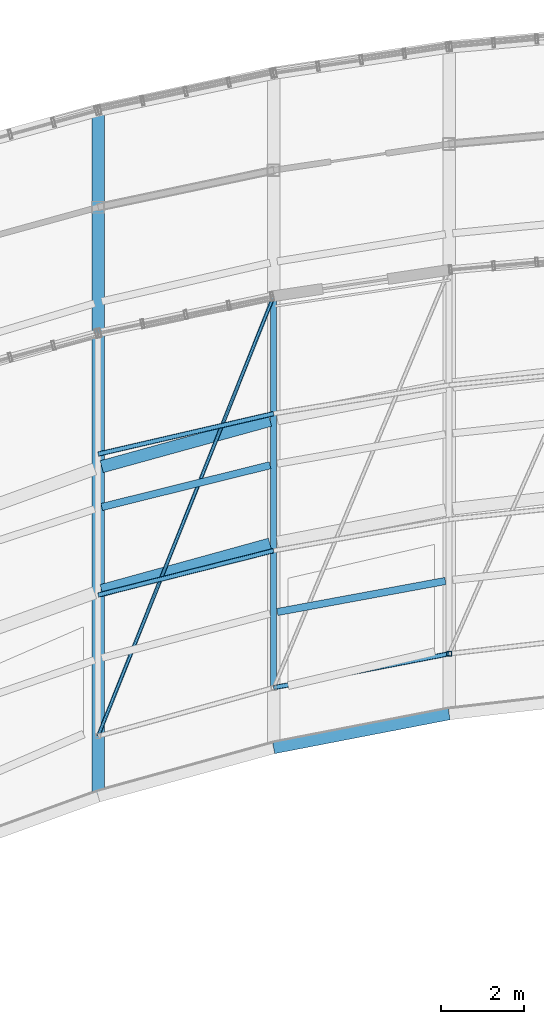
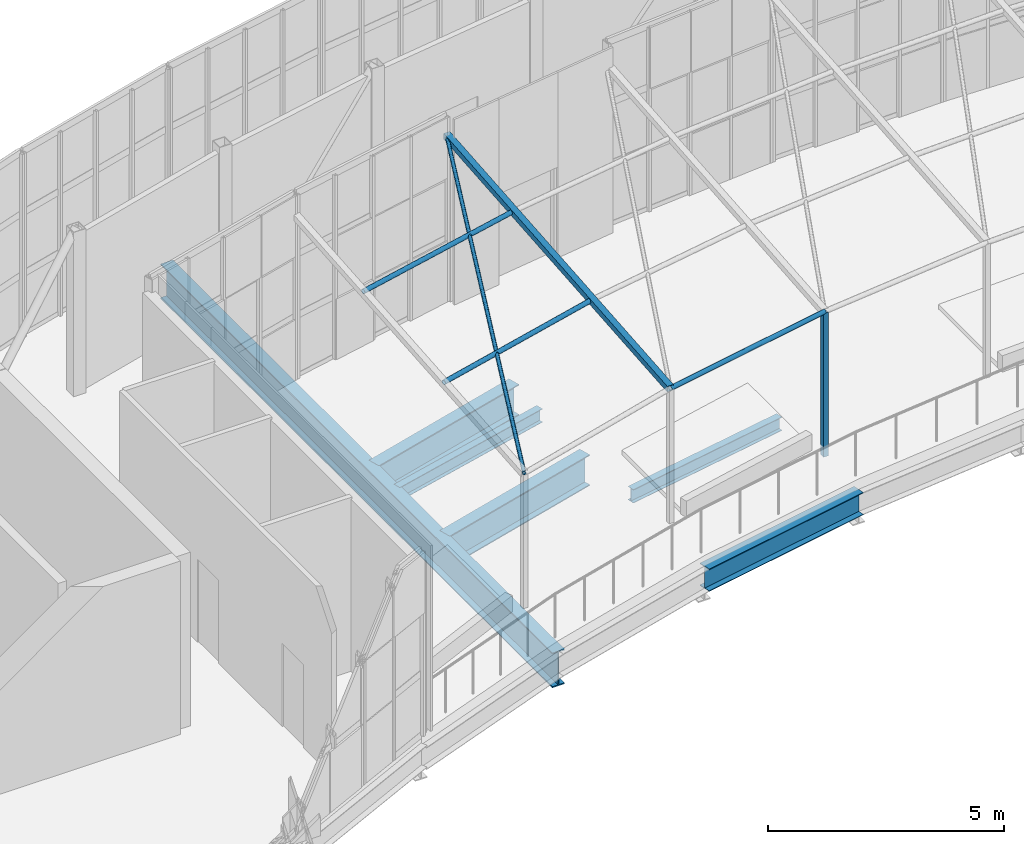
# One storey, part 10 of 35: 6 beams, 6 members.
"""IFC4 building model written with IfcOpenShell, lengths in metres."""

from ifc_helpers import new_model, si_unit, direction, frame, origin, origin_2d, place, context, subcontext, project, spatial, hollow_rectangle, hollow_circle, i_section, extrude, material, material_profile, profile_set, type_object, element, save


model = new_model("IFC4")

# Units and contexts
model_context = context("Model", 3, precision=1e-05, world=origin(), true_north=direction((0.0, 1.0)))
body_context = subcontext(model_context, "Body", "Model", "MODEL_VIEW")
ifc_project = project(units=[si_unit("LENGTHUNIT", "METRE"), si_unit("AREAUNIT", "SQUARE_METRE"), si_unit("VOLUMEUNIT", "CUBIC_METRE"), si_unit("PLANEANGLEUNIT", "RADIAN"), si_unit("MASSUNIT", "GRAM", prefix="KILO")], contexts=[model_context])

# Site, building, storey
site_placement = place(None, origin())
site = spatial("IfcSite", under=ifc_project, at=site_placement, CompositionType="ELEMENT")
building_placement = place(site_placement, origin())
building = spatial("IfcBuilding", under=site, at=building_placement, Name="Solvikara Media Centre", CompositionType="ELEMENT")
storey_placement = place(building_placement, frame((0.0, 0.0, 29.39990234375)))
storey = spatial("IfcBuildingStorey", under=building, at=storey_placement, Name="L06", CompositionType="ELEMENT", Elevation=29.39990234375)

# Beams
ifc_material = material(Name="Steel S355JR", Category="steel")
ifc_material_profile_1 = material_profile(ifc_material, i_section(OverallWidth=0.300048828125, OverallDepth=0.89990234375, WebThickness=0.01611328125, FlangeThickness=0.028076171875, at=origin_2d()), Name="WF 900x300x16x28")
ifc_profile_set_1 = profile_set([ifc_material_profile_1], Name="Steel S355JR")
beam_type_1 = type_object("IfcBeamType", Name="BM-15", PredefinedType="BEAM", material=ifc_profile_set_1)
beam_1_placement = place(storey_placement, frame((85.0, 22.823974609375, -0.721923828125), z_axis=(0.0, 1.0, 0.0), x_axis=(-1.0, 0.0, 0.0)))
element("IfcBeam", 1, at=beam_1_placement, inside=storey, type_object=beam_type_1, Name="BG-L06-NS-02", PredefinedType="BEAM", context=body_context, shape_type="SweptSolid", body=[
    extrude(i_section(OverallWidth=0.300048828125, OverallDepth=0.89990234375, WebThickness=0.01611328125, FlangeThickness=0.028076171875, at=origin_2d()), origin(), (0.0, 0.0, 1.0), 16.60693359375),
])
ifc_material_profile_2 = material_profile(ifc_material, i_section(OverallWidth=0.300048828125, OverallDepth=0.800048828125, WebThickness=0.013916015625, FlangeThickness=0.02587890625, at=origin_2d()), Name="WF 800x300x14x26")
ifc_profile_set_2 = profile_set([ifc_material_profile_2], Name="Steel S355JR")
beam_type_2 = type_object("IfcBeamType", Name="BM-16", PredefinedType="BEAM", material=ifc_profile_set_2)
for number, where, z_axis, x_axis, name in (
    (2, (85.0869140625, 27.798095703125, -0.671875), (0.964019154447, 0.265832785522, 0.0), (-0.265832785522, 0.964019154447, 0.0), "B-L06-SPNS-02"),
    (3, (85.0869140625, 30.798095703125, -0.671875), (0.964019154447, 0.265832785522, 0.0), (-0.265832785522, 0.964019154447, 0.0), "B-L06-SPNN-02"),
):
    element("IfcBeam", number, at=place(storey_placement, frame(where, z_axis=z_axis, x_axis=x_axis)), inside=storey, type_object=beam_type_2, Name=name, PredefinedType="BEAM", context=body_context, shape_type="SweptSolid", body=[
        extrude(i_section(OverallWidth=0.300048828125, OverallDepth=0.800048828125, WebThickness=0.013916015625, FlangeThickness=0.02587890625, at=origin_2d()), origin(), (0.0, 0.0, 1.0), 4.228271484375),
    ])
ifc_material_profile_3 = material_profile(ifc_material, i_section(OverallWidth=0.175048828125, OverallDepth=0.35009765625, WebThickness=0.007080078125, FlangeThickness=0.010986328125, at=origin_2d()), Name="WF 350x175x7x11")
ifc_profile_set_3 = profile_set([ifc_material_profile_3], Name="Steel S355JR")
beam_type_3 = type_object("IfcBeamType", Name="BM-22", PredefinedType="JOIST", material=ifc_profile_set_3)
beam_2_placement = place(storey_placement, frame((85.0869140625, 29.821044921875, -0.447021484375), z_axis=(0.970483457867, 0.241167696855, 0.0), x_axis=(-0.241167696855, 0.970483457867, 0.0)))
element("IfcBeam", 4, at=beam_2_placement, inside=storey, type_object=beam_type_3, Name="BJ-L06-02-42", PredefinedType="JOIST", context=body_context, shape_type="SweptSolid", body=[
    extrude(i_section(OverallWidth=0.175048828125, OverallDepth=0.35009765625, WebThickness=0.007080078125, FlangeThickness=0.010986328125, at=origin_2d()), origin(), (0.0, 0.0, 1.0), 4.2001953125),
])
beam_3_placement = place(storey_placement, frame((89.339111328125, 27.279052734375, -0.447021484375), z_axis=(0.983371814175, 0.181603620797, 0.0), x_axis=(-0.181603620797, 0.983371814175, 0.0)))
element("IfcBeam", 5, at=beam_3_placement, inside=storey, type_object=beam_type_3, Name="BJ-L06-03-20", PredefinedType="JOIST", context=body_context, shape_type="SweptSolid", body=[
    extrude(i_section(OverallWidth=0.175048828125, OverallDepth=0.35009765625, WebThickness=0.007080078125, FlangeThickness=0.010986328125, at=origin_2d()), origin(), (0.0, 0.0, 1.0), 4.140625),
])
ifc_material_profile_4 = material_profile(ifc_material, i_section(OverallWidth=0.300048828125, OverallDepth=0.58203125, WebThickness=0.011962890625, FlangeThickness=0.01708984375, at=origin_2d()), Name="WF 582x300x12x17")
ifc_profile_set_4 = profile_set([ifc_material_profile_4], Name="Steel S355JR")
beam_type_4 = type_object("IfcBeamType", Name="BM-31", PredefinedType="SPANDREL", material=ifc_profile_set_4)
beam_4_placement = place(storey_placement, frame((89.25, 23.99609375, -0.56298828125), z_axis=(0.981803941213, 0.189897396029, 0.0), x_axis=(-0.189897396029, 0.981803941213, 0.0)))
element("IfcBeam", 6, at=beam_4_placement, inside=storey, type_object=beam_type_4, Name="B-L06-SARC-03", PredefinedType="SPANDREL", context=body_context, shape_type="SweptSolid", body=[
    extrude(i_section(OverallWidth=0.300048828125, OverallDepth=0.58203125, WebThickness=0.011962890625, FlangeThickness=0.01708984375, at=origin_2d()), origin(), (0.0, 0.0, 1.0), 4.328857421875),
])

# Members
ifc_material_profile_5 = material_profile(ifc_material, hollow_circle(Radius=0.05712890625, WallThickness=0.006103515625, at=origin_2d()), Name="CHS 114.3x6")
ifc_profile_set_5 = profile_set([ifc_material_profile_5], Name="Steel S355JR")
member_type_1 = type_object("IfcMemberType", Name="MB-09", PredefinedType="BRACE", material=ifc_profile_set_5)
member_1_placement = place(storey_placement, frame((85.0, 27.68896484375, 3.72998046875), z_axis=(0.969417548491, 0.245417229791, 0.0), x_axis=(-0.245417229791, 0.969417548491, 0.0)))
element("IfcMember", 7, at=member_1_placement, inside=storey, type_object=member_type_1, Name="PERG-LVR-03-35", PredefinedType="BRACE", context=body_context, shape_type="SweptSolid", body=[
    extrude(hollow_circle(Radius=0.05712890625, WallThickness=0.006103515625, at=origin_2d()), origin(), (0.0, 0.0, 1.0), 4.384033203125),
])
member_2_placement = place(storey_placement, frame((85.0, 31.10400390625, 4.010009765625), z_axis=(0.974430804051, 0.22468780144, 0.0), x_axis=(-0.22468780144, 0.974430804051, 0.0)))
element("IfcMember", 8, at=member_2_placement, inside=storey, type_object=member_type_1, Name="PERG-LVR-03-70", PredefinedType="BRACE", context=body_context, shape_type="SweptSolid", body=[
    extrude(hollow_circle(Radius=0.05712890625, WallThickness=0.006103515625, at=origin_2d()), origin(), (0.0, 0.0, 1.0), 4.361572265625),
])
member_3_placement = place(storey_placement, frame((89.25, 25.446044921875, 3.4501953125), z_axis=(0.981803941213, 0.189897396029, 0.0), x_axis=(-0.189897396029, 0.981803941213, 0.0)))
element("IfcMember", 9, at=member_3_placement, inside=storey, type_object=member_type_1, Name="PERG-LVR-04-0", PredefinedType="BRACE", context=body_context, shape_type="SweptSolid", body=[
    extrude(hollow_circle(Radius=0.05712890625, WallThickness=0.006103515625, at=origin_2d()), origin(), (0.0, 0.0, 1.0), 4.328857421875),
])
ifc_material_profile_6 = material_profile(ifc_material, hollow_circle(Radius=0.04443359375, WallThickness=0.0048828125, at=origin_2d()), Name="CHS 88.9x5")
ifc_profile_set_6 = profile_set([ifc_material_profile_6], Name="Steel S355JR")
member_type_2 = type_object("IfcMemberType", Name="MB-10", PredefinedType="BRACE", material=ifc_profile_set_6)
member_4_placement = place(storey_placement, frame((85.0, 24.27392578125, 3.4501953125), z_axis=(0.369590597951, 0.926587917415, 0.069553010046), x_axis=(-0.928837322721, 0.370487824254, 0.0)))
element("IfcMember", 10, at=member_4_placement, inside=storey, type_object=member_type_2, Name="PERG-BR-03", PredefinedType="BRACE", context=body_context, shape_type="SweptSolid", body=[
    extrude(hollow_circle(Radius=0.04443359375, WallThickness=0.0048828125, at=origin_2d()), origin(), (0.0, 0.0, 1.0), 11.499267578125),
])
ifc_material_profile_7 = material_profile(ifc_material, hollow_rectangle(XDim=0.14990234375, YDim=0.14990234375, WallThickness=0.00634765625, at=origin_2d()), Name="RHS 150x150x6.3")
ifc_profile_set_7 = profile_set([ifc_material_profile_7], Name="Steel S355JR")
member_type_3 = type_object("IfcMemberType", Name="MB-15", PredefinedType="BRACE", material=ifc_profile_set_7)
member_5_placement = place(storey_placement, frame((89.25, 25.446044921875, 3.4501953125), z_axis=(0.0, 0.996462103523, 0.084043299808), x_axis=(-1.0, 0.0, 0.0)))
element("IfcMember", 11, at=member_5_placement, inside=storey, type_object=member_type_3, Name="PERG-RIB-03", PredefinedType="BRACE", context=body_context, shape_type="SweptSolid", body=[
    extrude(hollow_rectangle(XDim=0.14990234375, YDim=0.14990234375, WallThickness=0.00634765625, at=origin_2d()), origin(), (0.0, 0.0, 1.0), 9.5166015625),
])
ifc_material_profile_8 = material_profile(ifc_material, hollow_rectangle(XDim=0.1201171875, YDim=0.1201171875, WallThickness=0.006103515625, at=origin_2d()), Name="RHS 120x120x6")
ifc_profile_set_8 = profile_set([ifc_material_profile_8], Name="Steel S355JR")
member_type_4 = type_object("IfcMemberType", Name="MB-24", PredefinedType="POST", material=ifc_profile_set_8)
member_6_placement = place(storey_placement, frame((93.5, 26.26806640625, -0.27001953125), z_axis=(0.0, 0.0, 1.0), x_axis=(1.0, 0.0, 0.0)))
element("IfcMember", 12, at=member_6_placement, inside=storey, type_object=member_type_4, Name="PERG-PST-04", PredefinedType="POST", context=body_context, shape_type="SweptSolid", body=[
    extrude(hollow_rectangle(XDim=0.1201171875, YDim=0.1201171875, WallThickness=0.006103515625, at=origin_2d()), origin(), (0.0, 0.0, 1.0), 3.72021484375),
])

save(model, "model.ifc")
